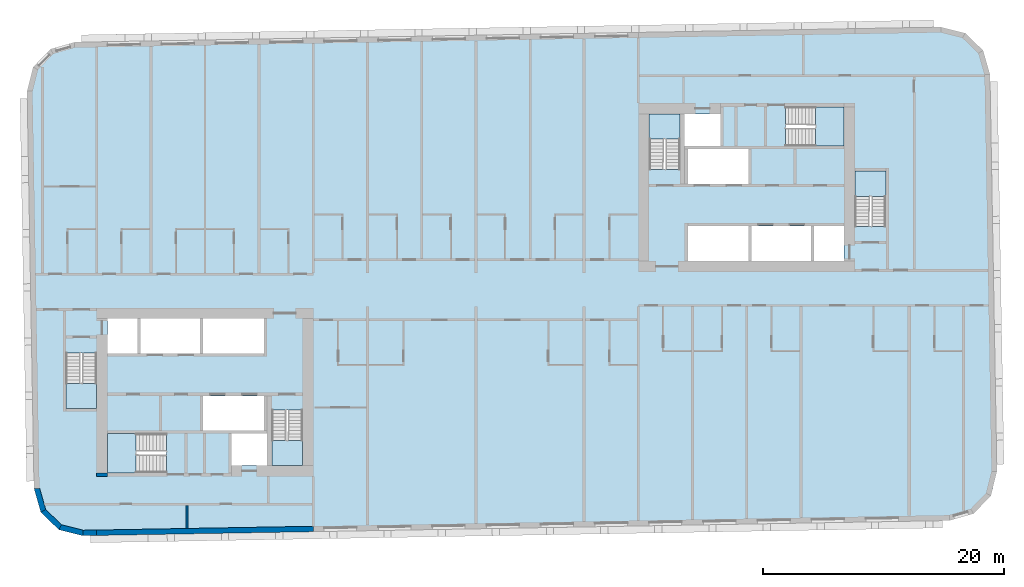
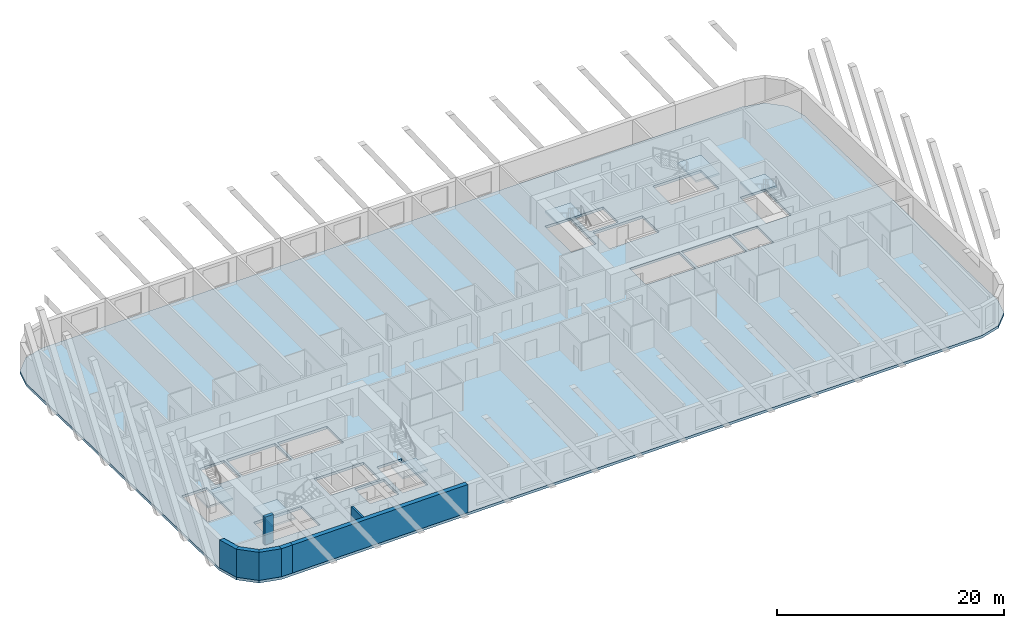
# One storey, part 1 of 13: 7 slabs, 7 walls, 6 elements without a shape of their own.
"""IFC4 building model written with IfcOpenShell, lengths in metres."""

from ifc_helpers import new_model, si_unit, direction, frame, frame_2d, origin, place, context, subcontext, project, spatial, polyline, rectangle, outline, extrude, material, layer, layer_set, type_object, element, aggregate, save


model = new_model("IFC4")

# Units and contexts
model_context = context("Model", 3, precision=1e-05, world=origin(), true_north=direction((0.0, 1.0)))
body_context = subcontext(model_context, "Body", "Model", "MODEL_VIEW")
ifc_project = project(units=[si_unit("LENGTHUNIT", "METRE"), si_unit("AREAUNIT", "SQUARE_METRE"), si_unit("VOLUMEUNIT", "CUBIC_METRE"), si_unit("PLANEANGLEUNIT", "RADIAN"), si_unit("MASSUNIT", "GRAM", prefix="KILO")], contexts=[model_context])

# Site, building, storey
site_placement = place(None, origin())
site = spatial("IfcSite", under=ifc_project, at=site_placement, CompositionType="ELEMENT")
building_placement = place(site_placement, origin())
building = spatial("IfcBuilding", under=site, at=building_placement, Name="Kajstack Hotel Tower", CompositionType="ELEMENT")
storey_placement = place(building_placement, frame((0.0, 0.0, 237.5)))
storey = spatial("IfcBuildingStorey", under=building, at=storey_placement, Name="L58", CompositionType="ELEMENT", Elevation=237.5)

# Slab
ifc_material_1 = material(Name="Concrete C40/50", Category="concrete")
ifc_layer_1 = layer(ifc_material_1, 0.280029296875)
ifc_layer_set_1 = layer_set([ifc_layer_1], Name="RC slab 280 C40/50 guest")
slab_type_1 = type_object("IfcSlabType", Name="RC slab 280 C40/50 guest", PredefinedType="FLOOR", material=ifc_layer_set_1)
slab_1_placement = place(storey_placement, frame((0.0, 0.0, -0.280029296875)))
element("IfcSlab", 1, at=slab_1_placement, inside=storey, type_object=slab_type_1, Name="S-slab-L58", PredefinedType="FLOOR", context=body_context, shape_type="SweptSolid", body=[
    extrude(outline(polyline([(-37.281982421875, 16.49951171875), (-36.705810546875, -16.49560546875), (-36.13525390625, -18.48583984375), (-34.645751953125, -19.92431640625), (-32.63671875, -20.42529296875), (39.352294921875, -19.168701171875), (41.342529296875, -18.597900390625), (42.781005859375, -17.1083984375), (43.281982421875, -15.099365234375), (42.705810546875, 17.8955078125), (42.13525390625, 19.885986328125), (40.645751953125, 21.32421875), (38.63671875, 21.8251953125), (-33.352294921875, 20.568603515625), (-35.342529296875, 19.997802734375), (-36.781005859375, 18.50830078125), (-37.281982421875, 16.49951171875)]), holes=[polyline([(-22.64990234375, -11.699951171875), (-22.64990234375, -8.800048828125), (-17.60009765625, -8.800048828125), (-17.60009765625, -11.699951171875), (-22.64990234375, -11.699951171875)]), polyline([(-27.85009765625, -5.300048828125), (-27.85009765625, -2.39990234375), (-22.89990234375, -2.39990234375), (-22.89990234375, -5.300048828125), (-27.85009765625, -5.300048828125)]), polyline([(-22.64990234375, -5.300048828125), (-22.64990234375, -2.39990234375), (-17.60009765625, -2.39990234375), (-17.60009765625, -5.300048828125), (-22.64990234375, -5.300048828125)]), polyline([(-20.300048828125, -14.60009765625), (-17.35009765625, -14.60009765625), (-17.35009765625, -11.949951171875), (-20.300048828125, -11.949951171875), (-20.300048828125, -14.60009765625)]), polyline([(-30.60009765625, -5.300048828125), (-28.10009765625, -5.300048828125), (-28.10009765625, -2.39990234375), (-30.60009765625, -2.39990234375), (-30.60009765625, -5.300048828125)]), polyline([(17.60009765625, 8.800048828125), (17.60009765625, 11.699951171875), (22.64990234375, 11.699951171875), (22.64990234375, 8.800048828125), (17.60009765625, 8.800048828125)]), polyline([(22.89990234375, 2.39990234375), (22.89990234375, 5.300048828125), (27.85009765625, 5.300048828125), (27.85009765625, 2.39990234375), (22.89990234375, 2.39990234375)]), polyline([(17.60009765625, 2.39990234375), (17.60009765625, 5.300048828125), (22.64990234375, 5.300048828125), (22.64990234375, 2.39990234375), (17.60009765625, 2.39990234375)]), polyline([(20.300048828125, 14.60009765625), (17.35009765625, 14.60009765625), (17.35009765625, 11.949951171875), (20.300048828125, 11.949951171875), (20.300048828125, 14.60009765625)]), polyline([(30.60009765625, 5.300048828125), (28.10009765625, 5.300048828125), (28.10009765625, 2.39990234375), (30.60009765625, 2.39990234375), (30.60009765625, 5.300048828125)]), polyline([(-34.050048828125, -9.85009765625), (-31.5, -9.85009765625), (-31.5, -5.25), (-34.050048828125, -5.25), (-34.050048828125, -9.85009765625)]), polyline([(-16.949951171875, -14.60009765625), (-14.39990234375, -14.60009765625), (-14.39990234375, -10.0), (-16.949951171875, -10.0), (-16.949951171875, -14.60009765625)]), polyline([(-30.60009765625, -15.199951171875), (-25.699951171875, -15.199951171875), (-25.699951171875, -11.949951171875), (-30.60009765625, -11.949951171875), (-30.60009765625, -15.199951171875)]), polyline([(34.050048828125, 9.85009765625), (31.5, 9.85009765625), (31.5, 5.25), (34.050048828125, 5.25), (34.050048828125, 9.85009765625)]), polyline([(16.949951171875, 14.60009765625), (14.39990234375, 14.60009765625), (14.39990234375, 10.0), (16.949951171875, 10.0), (16.949951171875, 14.60009765625)]), polyline([(30.60009765625, 15.199951171875), (25.699951171875, 15.199951171875), (25.699951171875, 11.949951171875), (30.60009765625, 11.949951171875), (30.60009765625, 15.199951171875)])]), origin(), (0.0, 0.0, 1.0), 0.280029296875),
])

# Stair, slab
stair_type_1 = type_object("IfcStairType", Name="Exit stair 1200", PredefinedType="HALF_TURN_STAIR", material=ifc_material_1)
stair_1_placement = place(storey_placement, origin())
stair_1 = element("IfcStair", 2, at=stair_1_placement, inside=storey, type_object=stair_type_1, Name="L58 stair W1", PredefinedType="HALF_TURN_STAIR")
ifc_layer_2 = layer(ifc_material_1, 0.199951171875)
ifc_layer_set_2 = layer_set([ifc_layer_2], Name="Stair landing 200")
slab_type_2 = type_object("IfcSlabType", Name="Stair landing 200", PredefinedType="LANDING", material=ifc_layer_set_2)
slab_2_placement = place(storey_placement, frame((0.0, 0.0, 1.449951171875)))
slab_2 = element("IfcSlab", 3, at=slab_2_placement, type_object=slab_type_2, Name="W1 landing 1", PredefinedType="LANDING", context=body_context, shape_type="SweptSolid", body=[
    extrude(outline(polyline([(-34.050048828125, -7.77001953125), (-34.050048828125, -9.85009765625), (-31.5, -9.85009765625), (-31.5, -7.77001953125), (-34.050048828125, -7.77001953125)])), origin(), (0.0, 0.0, 1.0), 0.199951171875),
])
aggregate(stair_1, [slab_2])

stair_2_placement = place(storey_placement, origin())
stair_2 = element("IfcStair", 4, at=stair_2_placement, inside=storey, type_object=stair_type_1, Name="L58 stair W2", PredefinedType="HALF_TURN_STAIR")
slab_3_placement = place(storey_placement, frame((0.0, 0.0, 1.449951171875)))
slab_3 = element("IfcSlab", 5, at=slab_3_placement, type_object=slab_type_2, Name="W2 landing 1", PredefinedType="LANDING", context=body_context, shape_type="SweptSolid", body=[
    extrude(outline(polyline([(-16.949951171875, -12.52001953125), (-16.949951171875, -14.60009765625), (-14.39990234375, -14.60009765625), (-14.39990234375, -12.52001953125), (-16.949951171875, -12.52001953125)])), origin(), (0.0, 0.0, 1.0), 0.199951171875),
])
aggregate(stair_2, [slab_3])

stair_type_2 = type_object("IfcStairType", Name="Exit stair 1500", PredefinedType="HALF_TURN_STAIR", material=ifc_material_1)
stair_3_placement = place(storey_placement, origin())
stair_3 = element("IfcStair", 6, at=stair_3_placement, inside=storey, type_object=stair_type_2, Name="L58 stair W3", PredefinedType="HALF_TURN_STAIR")
slab_4_placement = place(storey_placement, frame((0.0, 0.0, 1.449951171875)))
slab_4 = element("IfcSlab", 7, at=slab_4_placement, type_object=slab_type_2, Name="W3 landing 1", PredefinedType="LANDING", context=body_context, shape_type="SweptSolid", body=[
    extrude(outline(polyline([(-28.219970703125, -11.949951171875), (-30.60009765625, -11.949951171875), (-30.60009765625, -15.199951171875), (-28.219970703125, -15.199951171875), (-28.219970703125, -11.949951171875)])), origin(), (0.0, 0.0, 1.0), 0.199951171875),
])
aggregate(stair_3, [slab_4])

stair_4_placement = place(storey_placement, origin())
stair_4 = element("IfcStair", 8, at=stair_4_placement, inside=storey, type_object=stair_type_1, Name="L58 stair E1", PredefinedType="HALF_TURN_STAIR")
slab_5_placement = place(storey_placement, frame((0.0, 0.0, 1.449951171875)))
slab_5 = element("IfcSlab", 9, at=slab_5_placement, type_object=slab_type_2, Name="E1 landing 1", PredefinedType="LANDING", context=body_context, shape_type="SweptSolid", body=[
    extrude(outline(polyline([(34.050048828125, 7.77001953125), (34.050048828125, 9.85009765625), (31.5, 9.85009765625), (31.5, 7.77001953125), (34.050048828125, 7.77001953125)])), origin(), (0.0, 0.0, 1.0), 0.199951171875),
])
aggregate(stair_4, [slab_5])

stair_5_placement = place(storey_placement, origin())
stair_5 = element("IfcStair", 10, at=stair_5_placement, inside=storey, type_object=stair_type_1, Name="L58 stair E2", PredefinedType="HALF_TURN_STAIR")
slab_6_placement = place(storey_placement, frame((0.0, 0.0, 1.449951171875)))
slab_6 = element("IfcSlab", 11, at=slab_6_placement, type_object=slab_type_2, Name="E2 landing 1", PredefinedType="LANDING", context=body_context, shape_type="SweptSolid", body=[
    extrude(outline(polyline([(16.949951171875, 12.52001953125), (16.949951171875, 14.60009765625), (14.39990234375, 14.60009765625), (14.39990234375, 12.52001953125), (16.949951171875, 12.52001953125)])), origin(), (0.0, 0.0, 1.0), 0.199951171875),
])
aggregate(stair_5, [slab_6])

stair_6_placement = place(storey_placement, origin())
stair_6 = element("IfcStair", 12, at=stair_6_placement, inside=storey, type_object=stair_type_2, Name="L58 stair E3", PredefinedType="HALF_TURN_STAIR")
slab_7_placement = place(storey_placement, frame((0.0, 0.0, 1.449951171875)))
slab_7 = element("IfcSlab", 13, at=slab_7_placement, type_object=slab_type_2, Name="E3 landing 1", PredefinedType="LANDING", context=body_context, shape_type="SweptSolid", body=[
    extrude(outline(polyline([(28.219970703125, 11.949951171875), (30.60009765625, 11.949951171875), (30.60009765625, 15.199951171875), (28.219970703125, 15.199951171875), (28.219970703125, 11.949951171875)])), origin(), (0.0, 0.0, 1.0), 0.199951171875),
])
aggregate(stair_6, [slab_7])

# Walls
ifc_material_2 = material(Name="Concrete C60/75", Category="concrete")
ifc_layer_3 = layer(ifc_material_2, 0.89990234375)
ifc_layer_set_3 = layer_set([ifc_layer_3], Name="Core wall 900")
wall_type_1 = type_object("IfcWallType", Name="Core wall 900", PredefinedType="SHEAR", material=ifc_layer_set_3)
wall_1_placement = place(storey_placement, frame((-31.5, -15.35009765625, 0.0), z_axis=(0.0, 0.0, 1.0), x_axis=(1.0, 0.0, 0.0)))
element("IfcWall", 14, at=wall_1_placement, inside=storey, type_object=wall_type_1, Name="Core wall W RSW", PredefinedType="SHEAR", context=body_context, shape_type="SweptSolid", body=[
    extrude(rectangle(XDim=0.89990234375, YDim=0.300048828125, at=frame_2d((0.449951171875, 0.0))), origin(), (0.0, 0.0, 1.0), 3.02001953125),
])
ifc_layer_4 = layer(ifc_material_1, 0.449951171875)
ifc_layer_set_4 = layer_set([ifc_layer_4], Name="EW-CORE")
wall_type_2 = type_object("IfcWallType", Name="EW-CORE", PredefinedType="SOLIDWALL", material=ifc_layer_set_4)
wall_2_placement = place(storey_placement, frame((-31.50390625, -20.180419921875, 0.0), z_axis=(0.0, 0.0, 1.0), x_axis=(0.999847677887, 0.017453395744, 0.0)))
element("IfcWall", 15, at=wall_2_placement, inside=storey, type_object=wall_type_2, Name="E-wall-L58-04-01", PredefinedType="SOLIDWALL", context=body_context, shape_type="SweptSolid", body=[
    extrude(rectangle(XDim=18.002685546875, YDim=0.449951171875, at=frame_2d((9.00146484375, 0.0))), origin(), (0.0, 0.0, 1.0), 3.02001953125),
])
ifc_material_3 = material(Name="Terracotta-faced brick masonry", Category="masonry")
ifc_layer_5 = layer(ifc_material_3, 0.449951171875)
ifc_layer_set_5 = layer_set([ifc_layer_5], Name="EW-TERRA")
wall_type_3 = type_object("IfcWallType", Name="EW-TERRA", PredefinedType="SOLIDWALL", material=ifc_layer_set_5)
wall_3_placement = place(storey_placement, frame((-36.489501953125, -16.43359375, 0.0), z_axis=(0.0, 0.0, 1.0), x_axis=(0.275577603096, -0.961278827745, 0.0)))
element("IfcWall", 16, at=wall_3_placement, inside=storey, type_object=wall_type_3, Name="E-wall-L58-01-00", PredefinedType="SOLIDWALL", context=body_context, shape_type="SweptSolid", body=[
    extrude(outline(polyline([(0.0, -0.22509765625), (2.070556640625, -0.22509765625), (1.949951171875, 0.22509765625), (0.12060546875, 0.224853515625), (0.0, -0.22509765625)])), origin(), (0.0, 0.0, 1.0), 3.02001953125),
])
wall_4_placement = place(storey_placement, frame((-35.97900390625, -18.323974609375, 0.0), z_axis=(0.0, 0.0, 1.0), x_axis=(0.719320193998, -0.694678672846, 0.0)))
element("IfcWall", 17, at=wall_4_placement, inside=storey, type_object=wall_type_3, Name="E-wall-L58-02-00", PredefinedType="SOLIDWALL", context=body_context, shape_type="SweptSolid", body=[
    extrude(outline(polyline([(0.000244140625, -0.22509765625), (2.07080078125, -0.22509765625), (1.9501953125, 0.22509765625), (0.12060546875, 0.22509765625), (0.000244140625, -0.22509765625)])), origin(), (0.0, 0.0, 1.0), 3.02001953125),
])
wall_5_placement = place(storey_placement, frame((-34.59130859375, -19.7060546875, 0.0), z_axis=(0.0, 0.0, 1.0), x_axis=(0.970315655375, -0.241841950319, 0.0)))
element("IfcWall", 18, at=wall_5_placement, inside=storey, type_object=wall_type_3, Name="E-wall-L58-03-00", PredefinedType="SOLIDWALL", context=body_context, shape_type="SweptSolid", body=[
    extrude(outline(polyline([(0.0, -0.224853515625), (2.070556640625, -0.22509765625), (1.949951171875, 0.224853515625), (0.12060546875, 0.22509765625), (0.0, -0.224853515625)])), origin(), (0.0, 0.0, 1.0), 3.02001953125),
])
wall_6_placement = place(storey_placement, frame((-32.640625, -20.2001953125, 0.0), z_axis=(0.0, 0.0, 1.0), x_axis=(0.99984870815, 0.017394275206, 0.0)))
element("IfcWall", 19, at=wall_6_placement, inside=storey, type_object=wall_type_3, Name="E-wall-L58-04-00", PredefinedType="SOLIDWALL", context=body_context, shape_type="SweptSolid", body=[
    extrude(rectangle(XDim=1.136962890625, YDim=0.449951171875, at=frame_2d((0.568359375, 0.0))), origin(), (0.0, 0.0, 1.0), 3.02001953125),
])
ifc_material_4 = material(Name="Gypsum board on steel studs, mineral wool", Category="steel")
ifc_layer_6 = layer(ifc_material_4, 0.199951171875)
ifc_layer_set_6 = layer_set([ifc_layer_6], Name="Service partition 200")
wall_type_4 = type_object("IfcWallType", Name="Service partition 200", PredefinedType="PARTITIONING", material=ifc_layer_set_6)
wall_7_placement = place(storey_placement, frame((-24.0, -19.824462890625, 0.0), z_axis=(0.0, 0.0, 1.0), x_axis=(0.0, 1.0, 0.0)))
element("IfcWall", 20, at=wall_7_placement, inside=storey, type_object=wall_type_4, Name="Partition W SLP0", PredefinedType="PARTITIONING", context=body_context, shape_type="SweptSolid", body=[
    extrude(rectangle(XDim=1.924560546875, YDim=0.199951171875, at=frame_2d((0.96240234375, 0.0))), origin(), (0.0, 0.0, 1.0), 3.02001953125),
])

save(model, "model.ifc")
